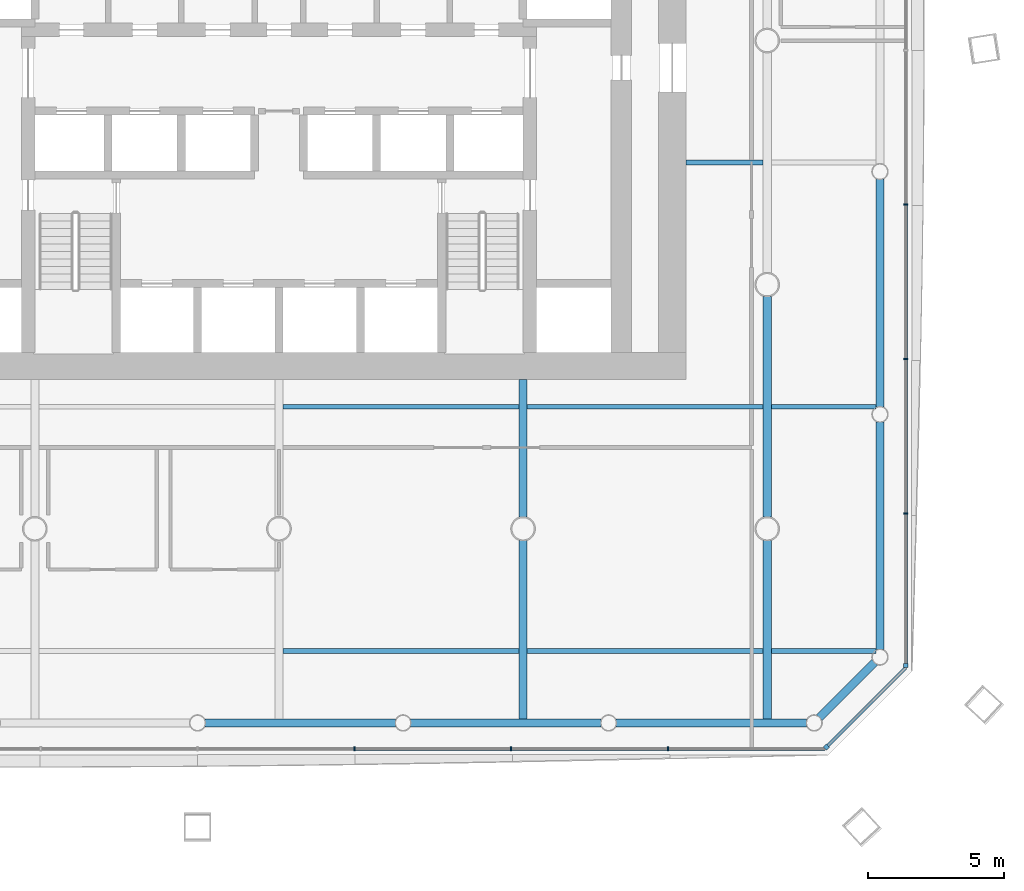
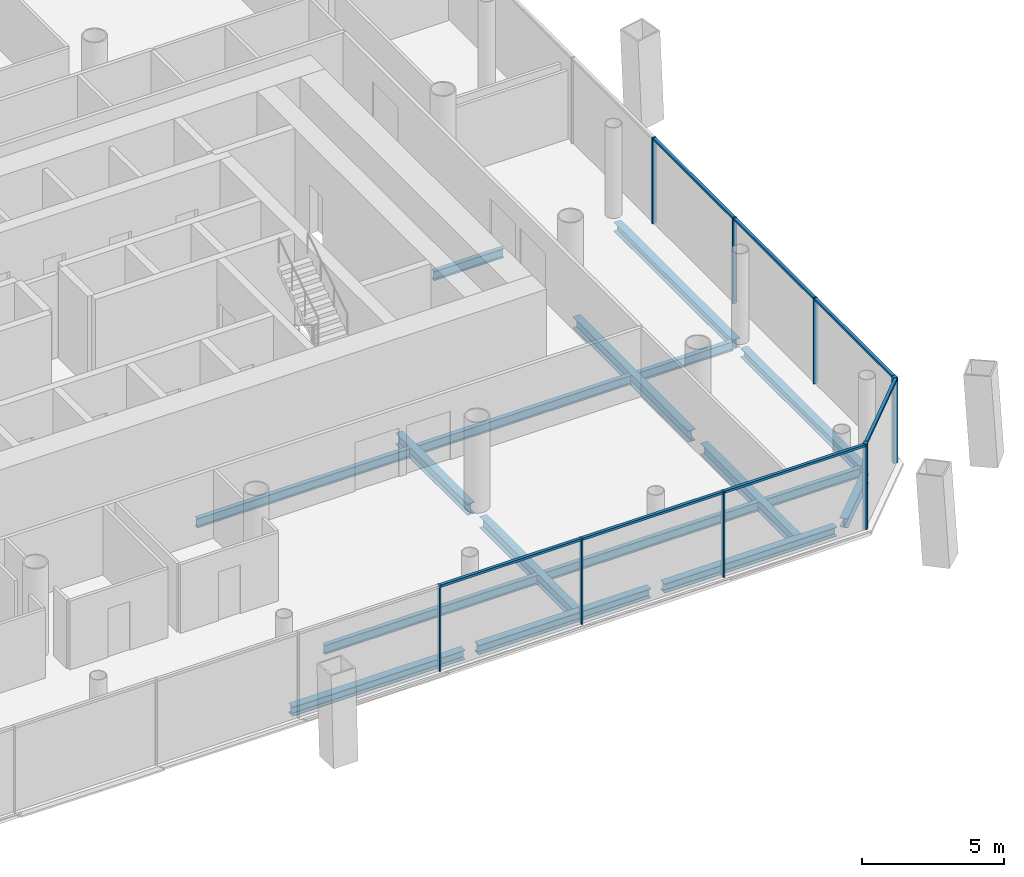
# One storey, part 5 of 20: 17 beams, 15 members, 3 elements without a shape of their own.
"""IFC4 building model written with IfcOpenShell, lengths in metres."""

from ifc_helpers import new_model, si_unit, direction, frame, origin, origin_2d, place, context, subcontext, project, spatial, rectangle, i_section, extrude, material, material_profile, profile_set, type_object, element, aggregate, save


model = new_model("IFC4")

# Units and contexts
model_context = context("Model", 3, precision=1e-05, world=origin(), true_north=direction((0.0, 1.0)))
body_context = subcontext(model_context, "Body", "Model", "MODEL_VIEW")
ifc_project = project(units=[si_unit("LENGTHUNIT", "METRE"), si_unit("AREAUNIT", "SQUARE_METRE"), si_unit("VOLUMEUNIT", "CUBIC_METRE"), si_unit("PLANEANGLEUNIT", "RADIAN"), si_unit("MASSUNIT", "GRAM", prefix="KILO")], contexts=[model_context])

# Site, building, storey
site_placement = place(None, origin())
site = spatial("IfcSite", under=ifc_project, at=site_placement, CompositionType="ELEMENT")
building_placement = place(site_placement, origin())
building = spatial("IfcBuilding", under=site, at=building_placement, Name="Tskaro Facet Tower", CompositionType="ELEMENT")
storey_placement = place(building_placement, frame((0.0, 0.0, 49.800048828125)))
storey = spatial("IfcBuildingStorey", under=building, at=storey_placement, Name="L11", CompositionType="ELEMENT", Elevation=49.800048828125)

# Curtain wall, member
ifc_material_1 = material(Name="Bronze anodised aluminium 6063-T6", Category="aluminium")
curtain_wall_type = type_object("IfcCurtainWallType", Name="Bronze office curtain wall (FW1)", PredefinedType="NOTDEFINED", material=ifc_material_1)
curtain_wall_1_placement = place(storey_placement, origin())
curtain_wall_1 = element("IfcCurtainWall", 1, at=curtain_wall_1_placement, inside=storey, type_object=curtain_wall_type, Name="FW1 south-east facet L11", PredefinedType="NOTDEFINED")
ifc_material_profile_1 = material_profile(ifc_material_1, rectangle(XDim=0.159912109375, YDim=0.159912109375, at=origin_2d()), Name="Corner post 160x160")
ifc_profile_set_1 = profile_set([ifc_material_profile_1], Name="Bronze anodised aluminium 6063-T6")
member_type_1 = type_object("IfcMemberType", Name="FW1 bronze corner post 160x160", PredefinedType="MULLION", material=ifc_profile_set_1)
member_1_placement = place(storey_placement, frame((20.178466796875, -26.050537109375, 0.0), z_axis=(0.0, 0.0, 1.0), x_axis=(0.707106781187, 0.707106781187, 0.0)))
member_1 = element("IfcMember", 2, at=member_1_placement, type_object=member_type_1, Name="FW1 south-east corner post", PredefinedType="MULLION", context=body_context, shape_type="SweptSolid", body=[
    extrude(rectangle(XDim=0.159912109375, YDim=0.159912109375, at=origin_2d()), origin(), (0.0, 0.0, 1.0), 3.699951171875),
])

curtain_wall_2_placement = place(storey_placement, origin())
curtain_wall_2 = element("IfcCurtainWall", 3, at=curtain_wall_2_placement, inside=storey, type_object=curtain_wall_type, Name="FW1 east facet L11", PredefinedType="NOTDEFINED")
member_2_placement = place(storey_placement, frame((23.10693359375, -23.0419921875, 0.0), z_axis=(0.0, 0.0, 1.0), x_axis=(0.0, 1.0, 0.0)))
member_2 = element("IfcMember", 4, at=member_2_placement, type_object=member_type_1, Name="FW1 east corner post", PredefinedType="MULLION", context=body_context, shape_type="SweptSolid", body=[
    extrude(rectangle(XDim=0.159912109375, YDim=0.159912109375, at=origin_2d()), origin(), (0.0, 0.0, 1.0), 3.699951171875),
])

# Curtain wall, members
curtain_wall_3_placement = place(storey_placement, origin())
curtain_wall_3 = element("IfcCurtainWall", 5, at=curtain_wall_3_placement, inside=storey, type_object=curtain_wall_type, Name="FW1 south facet L11", PredefinedType="NOTDEFINED")
ifc_material_profile_2 = material_profile(ifc_material_1, rectangle(XDim=0.06005859375, YDim=0.159912109375, at=origin_2d()), Name="Mullion 60x160")
ifc_profile_set_2 = profile_set([ifc_material_profile_2], Name="Bronze anodised aluminium 6063-T6")
member_type_2 = type_object("IfcMemberType", Name="FW1 bronze mullion 60x160", PredefinedType="MULLION", material=ifc_profile_set_2)
member_3_placement = place(storey_placement, frame((2.780517578125, -26.10693359375, 0.0), z_axis=(0.0, 0.0, 1.0), x_axis=(1.0, 0.0, 0.0)))
member_3 = element("IfcMember", 6, at=member_3_placement, type_object=member_type_2, Name="FW1 south mullion 5", PredefinedType="MULLION", context=body_context, shape_type="SweptSolid", body=[
    extrude(rectangle(XDim=0.06005859375, YDim=0.159912109375, at=origin_2d()), origin(), (0.0, 0.0, 1.0), 3.699951171875),
])
member_4_placement = place(storey_placement, frame((8.56103515625, -26.10693359375, 0.0), z_axis=(0.0, 0.0, 1.0), x_axis=(1.0, 0.0, 0.0)))
member_4 = element("IfcMember", 7, at=member_4_placement, type_object=member_type_2, Name="FW1 south mullion 6", PredefinedType="MULLION", context=body_context, shape_type="SweptSolid", body=[
    extrude(rectangle(XDim=0.06005859375, YDim=0.159912109375, at=origin_2d()), origin(), (0.0, 0.0, 1.0), 3.699951171875),
])
member_5_placement = place(storey_placement, frame((14.341552734375, -26.10693359375, 0.0), z_axis=(0.0, 0.0, 1.0), x_axis=(1.0, 0.0, 0.0)))
member_5 = element("IfcMember", 8, at=member_5_placement, type_object=member_type_2, Name="FW1 south mullion 7", PredefinedType="MULLION", context=body_context, shape_type="SweptSolid", body=[
    extrude(rectangle(XDim=0.06005859375, YDim=0.159912109375, at=origin_2d()), origin(), (0.0, 0.0, 1.0), 3.699951171875),
])

# Member
member_6_placement = place(storey_placement, frame((23.10693359375, -17.43115234375, 0.0), z_axis=(0.0, 0.0, 1.0), x_axis=(0.0, 1.0, 0.0)))
member_6 = element("IfcMember", 9, at=member_6_placement, type_object=member_type_2, Name="FW1 east mullion 1", PredefinedType="MULLION", context=body_context, shape_type="SweptSolid", body=[
    extrude(rectangle(XDim=0.06005859375, YDim=0.159912109375, at=origin_2d()), origin(), (0.0, 0.0, 1.0), 3.699951171875),
])

member_7_placement = place(storey_placement, frame((23.10693359375, -11.740234375, 0.0), z_axis=(0.0, 0.0, 1.0), x_axis=(0.0, 1.0, 0.0)))
member_7 = element("IfcMember", 10, at=member_7_placement, type_object=member_type_2, Name="FW1 east mullion 2", PredefinedType="MULLION", context=body_context, shape_type="SweptSolid", body=[
    extrude(rectangle(XDim=0.06005859375, YDim=0.159912109375, at=origin_2d()), origin(), (0.0, 0.0, 1.0), 3.699951171875),
])

member_8_placement = place(storey_placement, frame((23.10693359375, -6.04931640625, 0.0), z_axis=(0.0, 0.0, 1.0), x_axis=(0.0, 1.0, 0.0)))
member_8 = element("IfcMember", 11, at=member_8_placement, type_object=member_type_2, Name="FW1 east mullion 3", PredefinedType="MULLION", context=body_context, shape_type="SweptSolid", body=[
    extrude(rectangle(XDim=0.06005859375, YDim=0.159912109375, at=origin_2d()), origin(), (0.0, 0.0, 1.0), 3.699951171875),
])

ifc_material_profile_3 = material_profile(ifc_material_1, rectangle(XDim=0.1201171875, YDim=0.10009765625, at=origin_2d()), Name="Transom 120x100")
ifc_profile_set_3 = profile_set([ifc_material_profile_3], Name="Bronze anodised aluminium 6063-T6")
member_type_3 = type_object("IfcMemberType", Name="FW1 bronze transom 120x100", PredefinedType="USERDEFINED", material=ifc_profile_set_3)
member_9_placement = place(storey_placement, frame((2.810546875, -26.10693359375, 3.64990234375), z_axis=(1.0, 0.0, 0.0), x_axis=(0.0, 1.0, 0.0)))
member_9 = element("IfcMember", 12, at=member_9_placement, type_object=member_type_3, Name="FW1 south transom 6.1", ObjectType="TRANSOM", PredefinedType="USERDEFINED", context=body_context, shape_type="SweptSolid", body=[
    extrude(rectangle(XDim=0.1201171875, YDim=0.10009765625, at=origin_2d()), origin(), (0.0, 0.0, 1.0), 5.720458984375),
])

member_10_placement = place(storey_placement, frame((8.591064453125, -26.10693359375, 3.64990234375), z_axis=(1.0, 0.0, 0.0), x_axis=(0.0, 1.0, 0.0)))
member_10 = element("IfcMember", 13, at=member_10_placement, type_object=member_type_3, Name="FW1 south transom 7.1", ObjectType="TRANSOM", PredefinedType="USERDEFINED", context=body_context, shape_type="SweptSolid", body=[
    extrude(rectangle(XDim=0.1201171875, YDim=0.10009765625, at=origin_2d()), origin(), (0.0, 0.0, 1.0), 5.720458984375),
])

member_11_placement = place(storey_placement, frame((14.37158203125, -26.10693359375, 3.64990234375), z_axis=(1.0, 0.0, 0.0), x_axis=(0.0, 1.0, 0.0)))
member_11 = element("IfcMember", 14, at=member_11_placement, type_object=member_type_3, Name="FW1 south transom 8.1", ObjectType="TRANSOM", PredefinedType="USERDEFINED", context=body_context, shape_type="SweptSolid", body=[
    extrude(rectangle(XDim=0.1201171875, YDim=0.10009765625, at=origin_2d()), origin(), (0.0, 0.0, 1.0), 5.75048828125),
])

aggregate(curtain_wall_3, [member_3, member_4, member_5, member_9, member_10, member_11])

member_12_placement = place(storey_placement, frame((20.235107421875, -25.993896484375, 3.64990234375), z_axis=(0.707106781187, 0.707106781187, 0.0), x_axis=(-0.707106781187, 0.707106781187, 0.0)))
member_12 = element("IfcMember", 15, at=member_12_placement, type_object=member_type_3, Name="FW1 south-east transom 1.1", ObjectType="TRANSOM", PredefinedType="USERDEFINED", context=body_context, shape_type="SweptSolid", body=[
    extrude(rectangle(XDim=0.1201171875, YDim=0.10009765625, at=origin_2d()), origin(), (0.0, 0.0, 1.0), 4.061279296875),
])

aggregate(curtain_wall_1, [member_1, member_12])

member_13_placement = place(storey_placement, frame((23.10693359375, -22.9619140625, 3.64990234375), z_axis=(0.0, 1.0, 0.0), x_axis=(-1.0, 0.0, 0.0)))
member_13 = element("IfcMember", 16, at=member_13_placement, type_object=member_type_3, Name="FW1 east transom 1.1", ObjectType="TRANSOM", PredefinedType="USERDEFINED", context=body_context, shape_type="SweptSolid", body=[
    extrude(rectangle(XDim=0.1201171875, YDim=0.10009765625, at=origin_2d()), origin(), (0.0, 0.0, 1.0), 5.500732421875),
])

member_14_placement = place(storey_placement, frame((23.10693359375, -17.401123046875, 3.64990234375), z_axis=(0.0, 1.0, 0.0), x_axis=(-1.0, 0.0, 0.0)))
member_14 = element("IfcMember", 17, at=member_14_placement, type_object=member_type_3, Name="FW1 east transom 2.1", ObjectType="TRANSOM", PredefinedType="USERDEFINED", context=body_context, shape_type="SweptSolid", body=[
    extrude(rectangle(XDim=0.1201171875, YDim=0.10009765625, at=origin_2d()), origin(), (0.0, 0.0, 1.0), 5.630859375),
])

member_15_placement = place(storey_placement, frame((23.10693359375, -11.710205078125, 3.64990234375), z_axis=(0.0, 1.0, 0.0), x_axis=(-1.0, 0.0, 0.0)))
member_15 = element("IfcMember", 18, at=member_15_placement, type_object=member_type_3, Name="FW1 east transom 3.1", ObjectType="TRANSOM", PredefinedType="USERDEFINED", context=body_context, shape_type="SweptSolid", body=[
    extrude(rectangle(XDim=0.1201171875, YDim=0.10009765625, at=origin_2d()), origin(), (0.0, 0.0, 1.0), 5.630859375),
])

aggregate(curtain_wall_2, [member_2, member_6, member_7, member_8, member_13, member_14, member_15])

# Beams
ifc_material_2 = material(Name="Steel S355J2", Category="steel")
ifc_material_profile_4 = material_profile(ifc_material_2, i_section(OverallWidth=0.300048828125, OverallDepth=0.39990234375, WebThickness=0.013427734375, FlangeThickness=0.02392578125, FilletRadius=0.027099609375, at=origin_2d()), Name="HE 400 B")
ifc_profile_set_4 = profile_set([ifc_material_profile_4], Name="Steel S355J2")
beam_type_1 = type_object("IfcBeamType", Name="HE 400 B ring beam", PredefinedType="BEAM", material=ifc_profile_set_4)
beam_1_placement = place(storey_placement, frame((-2.72509765625, -25.156982421875, -0.340087890625), z_axis=(1.0, 0.0, 0.0), x_axis=(0.0, 1.0, 0.0)))
element("IfcBeam", 19, at=beam_1_placement, inside=storey, type_object=beam_type_1, Name="HE 400 B EB4-1", PredefinedType="BEAM", context=body_context, shape_type="SweptSolid", body=[
    extrude(i_section(OverallWidth=0.300048828125, OverallDepth=0.39990234375, WebThickness=0.013427734375, FlangeThickness=0.02392578125, FilletRadius=0.027099609375, at=origin_2d()), origin(), (0.0, 0.0, 1.0), 7.026123046875),
])
beam_2_placement = place(storey_placement, frame((4.85107421875, -25.156982421875, -0.340087890625), z_axis=(1.0, 0.0, 0.0), x_axis=(0.0, 1.0, 0.0)))
element("IfcBeam", 20, at=beam_2_placement, inside=storey, type_object=beam_type_1, Name="HE 400 B EB5-1", PredefinedType="BEAM", context=body_context, shape_type="SweptSolid", body=[
    extrude(i_section(OverallWidth=0.300048828125, OverallDepth=0.39990234375, WebThickness=0.013427734375, FlangeThickness=0.02392578125, FilletRadius=0.027099609375, at=origin_2d()), origin(), (0.0, 0.0, 1.0), 7.02685546875),
])
beam_3_placement = place(storey_placement, frame((12.427978515625, -25.156982421875, -0.340087890625), z_axis=(1.0, 0.0, 0.0), x_axis=(0.0, 1.0, 0.0)))
element("IfcBeam", 21, at=beam_3_placement, inside=storey, type_object=beam_type_1, Name="HE 400 B EB6-1", PredefinedType="BEAM", context=body_context, shape_type="SweptSolid", body=[
    extrude(i_section(OverallWidth=0.300048828125, OverallDepth=0.39990234375, WebThickness=0.013427734375, FlangeThickness=0.02392578125, FilletRadius=0.027099609375, at=origin_2d()), origin(), (0.0, 0.0, 1.0), 7.026123046875),
])
beam_4_placement = place(storey_placement, frame((19.92333984375, -24.962646484375, -0.340087890625), z_axis=(0.707106781187, 0.707106781187, 0.0), x_axis=(-0.707106781187, 0.707106781187, 0.0)))
element("IfcBeam", 22, at=beam_4_placement, inside=storey, type_object=beam_type_1, Name="HE 400 B EB7-1", PredefinedType="BEAM", context=body_context, shape_type="SweptSolid", body=[
    extrude(i_section(OverallWidth=0.300048828125, OverallDepth=0.39990234375, WebThickness=0.013427734375, FlangeThickness=0.02392578125, FilletRadius=0.027099609375, at=origin_2d()), origin(), (0.0, 0.0, 1.0), 2.884033203125),
])
for number, where, z_axis, x_axis, name in (
    (23, (22.156982421875, -22.4541015625, -0.340087890625), (0.0, 1.0, 0.0), (-1.0, 0.0, 0.0), "HE 400 B EB8-1"),
    (24, (22.156982421875, -13.506103515625, -0.340087890625), (0.0, 1.0, 0.0), (-1.0, 0.0, 0.0), "HE 400 B EB9-1"),
):
    element("IfcBeam", number, at=place(storey_placement, frame(where, z_axis=z_axis, x_axis=x_axis)), inside=storey, type_object=beam_type_1, Name=name, PredefinedType="BEAM", context=body_context, shape_type="SweptSolid", body=[
        extrude(i_section(OverallWidth=0.300048828125, OverallDepth=0.39990234375, WebThickness=0.013427734375, FlangeThickness=0.02392578125, FilletRadius=0.027099609375, at=origin_2d()), origin(), (0.0, 0.0, 1.0), 8.398193359375),
    ])
ifc_material_profile_5 = material_profile(ifc_material_2, i_section(OverallWidth=0.300048828125, OverallDepth=0.489990234375, WebThickness=0.011962890625, FlangeThickness=0.02294921875, FilletRadius=0.027099609375, at=origin_2d()), Name="HE 500 A")
ifc_profile_set_5 = profile_set([ifc_material_profile_5], Name="Steel S355J2")
beam_type_2 = type_object("IfcBeamType", Name="HE 500 A girder", PredefinedType="BEAM", material=ifc_profile_set_5)
beam_5_placement = place(storey_placement, frame((9.0, -25.007080078125, -0.385009765625), z_axis=(0.0, 1.0, 0.0), x_axis=(-1.0, 0.0, 0.0)))
element("IfcBeam", 25, at=beam_5_placement, inside=storey, type_object=beam_type_2, Name="HE 500 A GB5-1-1", PredefinedType="BEAM", context=body_context, shape_type="SweptSolid", body=[
    extrude(i_section(OverallWidth=0.300048828125, OverallDepth=0.489990234375, WebThickness=0.011962890625, FlangeThickness=0.02294921875, FilletRadius=0.027099609375, at=origin_2d()), origin(), (0.0, 0.0, 1.0), 6.579833984375),
])
beam_6_placement = place(storey_placement, frame((9.0, -17.57275390625, -0.385009765625), z_axis=(0.0, 1.0, 0.0), x_axis=(-1.0, 0.0, 0.0)))
element("IfcBeam", 26, at=beam_6_placement, inside=storey, type_object=beam_type_2, Name="HE 500 A GB5-2-1", PredefinedType="BEAM", context=body_context, shape_type="SweptSolid", body=[
    extrude(i_section(OverallWidth=0.300048828125, OverallDepth=0.489990234375, WebThickness=0.011962890625, FlangeThickness=0.02294921875, FilletRadius=0.027099609375, at=origin_2d()), origin(), (0.0, 0.0, 1.0), 5.07275390625),
])
beam_7_placement = place(storey_placement, frame((18.0, -25.007080078125, -0.385009765625), z_axis=(0.0, 1.0, 0.0), x_axis=(-1.0, 0.0, 0.0)))
element("IfcBeam", 27, at=beam_7_placement, inside=storey, type_object=beam_type_2, Name="HE 500 A GB6-1-1", PredefinedType="BEAM", context=body_context, shape_type="SweptSolid", body=[
    extrude(i_section(OverallWidth=0.300048828125, OverallDepth=0.489990234375, WebThickness=0.011962890625, FlangeThickness=0.02294921875, FilletRadius=0.027099609375, at=origin_2d()), origin(), (0.0, 0.0, 1.0), 6.579833984375),
])
beam_8_placement = place(storey_placement, frame((18.0, -17.57275390625, -0.385009765625), z_axis=(0.0, 1.0, 0.0), x_axis=(-1.0, 0.0, 0.0)))
element("IfcBeam", 28, at=beam_8_placement, inside=storey, type_object=beam_type_2, Name="HE 500 A GB6-2-1", PredefinedType="BEAM", context=body_context, shape_type="SweptSolid", body=[
    extrude(i_section(OverallWidth=0.300048828125, OverallDepth=0.489990234375, WebThickness=0.011962890625, FlangeThickness=0.02294921875, FilletRadius=0.027099609375, at=origin_2d()), origin(), (0.0, 0.0, 1.0), 8.1455078125),
])
ifc_material_profile_6 = material_profile(ifc_material_2, i_section(OverallWidth=0.179931640625, OverallDepth=0.39990234375, WebThickness=0.008544921875, FlangeThickness=0.013427734375, FilletRadius=0.02099609375, at=origin_2d()), Name="IPE 400")
ifc_profile_set_6 = profile_set([ifc_material_profile_6], Name="Steel S355J2")
beam_type_3 = type_object("IfcBeamType", Name="IPE 400 secondary beam", PredefinedType="BEAM", material=ifc_profile_set_6)
for number, where, z_axis, x_axis, name in (
    (29, (0.14990234375, -22.5, -0.340087890625), (1.0, 0.0, 0.0), (0.0, 1.0, 0.0), "IPE 400 SB1a-4-1"),
    (30, (9.14990234375, -22.5, -0.340087890625), (1.0, 0.0, 0.0), (0.0, 1.0, 0.0), "IPE 400 SB1a-5-1"),
):
    element("IfcBeam", number, at=place(storey_placement, frame(where, z_axis=z_axis, x_axis=x_axis)), inside=storey, type_object=beam_type_3, Name=name, PredefinedType="BEAM", context=body_context, shape_type="SweptSolid", body=[
        extrude(i_section(OverallWidth=0.179931640625, OverallDepth=0.39990234375, WebThickness=0.008544921875, FlangeThickness=0.013427734375, FilletRadius=0.02099609375, at=origin_2d()), origin(), (0.0, 0.0, 1.0), 8.7001953125),
    ])
beam_9_placement = place(storey_placement, frame((18.14990234375, -22.5, -0.340087890625), z_axis=(1.0, 0.0, 0.0), x_axis=(0.0, 1.0, 0.0)))
element("IfcBeam", 31, at=beam_9_placement, inside=storey, type_object=beam_type_3, Name="IPE 400 SB1a-6-1", PredefinedType="BEAM", context=body_context, shape_type="SweptSolid", body=[
    extrude(i_section(OverallWidth=0.179931640625, OverallDepth=0.39990234375, WebThickness=0.008544921875, FlangeThickness=0.013427734375, FilletRadius=0.02099609375, at=origin_2d()), origin(), (0.0, 0.0, 1.0), 3.857177734375),
])
for number, where, z_axis, x_axis, name in (
    (32, (0.14990234375, -13.5, -0.340087890625), (1.0, 0.0, 0.0), (0.0, 1.0, 0.0), "IPE 400 SB2a-4-1"),
    (33, (9.14990234375, -13.5, -0.340087890625), (1.0, 0.0, 0.0), (0.0, 1.0, 0.0), "IPE 400 SB2a-5-1"),
):
    element("IfcBeam", number, at=place(storey_placement, frame(where, z_axis=z_axis, x_axis=x_axis)), inside=storey, type_object=beam_type_3, Name=name, PredefinedType="BEAM", context=body_context, shape_type="SweptSolid", body=[
        extrude(i_section(OverallWidth=0.179931640625, OverallDepth=0.39990234375, WebThickness=0.008544921875, FlangeThickness=0.013427734375, FilletRadius=0.02099609375, at=origin_2d()), origin(), (0.0, 0.0, 1.0), 8.7001953125),
    ])
beam_10_placement = place(storey_placement, frame((18.14990234375, -13.5, -0.340087890625), z_axis=(1.0, 0.0, 0.0), x_axis=(0.0, 1.0, 0.0)))
element("IfcBeam", 34, at=beam_10_placement, inside=storey, type_object=beam_type_3, Name="IPE 400 SB2a-6-1", PredefinedType="BEAM", context=body_context, shape_type="SweptSolid", body=[
    extrude(i_section(OverallWidth=0.179931640625, OverallDepth=0.39990234375, WebThickness=0.008544921875, FlangeThickness=0.013427734375, FilletRadius=0.02099609375, at=origin_2d()), origin(), (0.0, 0.0, 1.0), 3.857177734375),
])
beam_11_placement = place(storey_placement, frame((15.0, -4.5, -0.340087890625), z_axis=(1.0, 0.0, 0.0), x_axis=(0.0, 1.0, 0.0)))
element("IfcBeam", 35, at=beam_11_placement, inside=storey, type_object=beam_type_3, Name="IPE 400 SB3a-3-1", PredefinedType="BEAM", context=body_context, shape_type="SweptSolid", body=[
    extrude(i_section(OverallWidth=0.179931640625, OverallDepth=0.39990234375, WebThickness=0.008544921875, FlangeThickness=0.013427734375, FilletRadius=0.02099609375, at=origin_2d()), origin(), (0.0, 0.0, 1.0), 2.85009765625),
])

save(model, "model.ifc")
